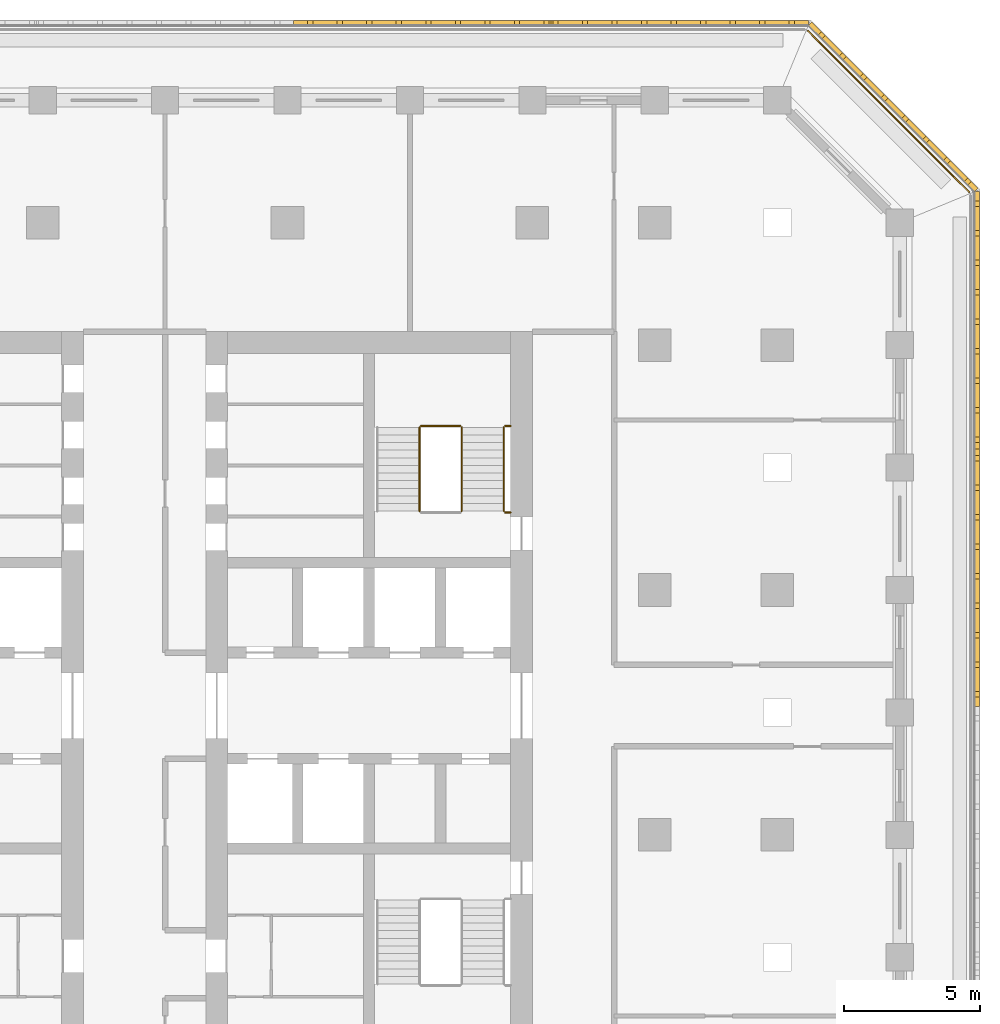
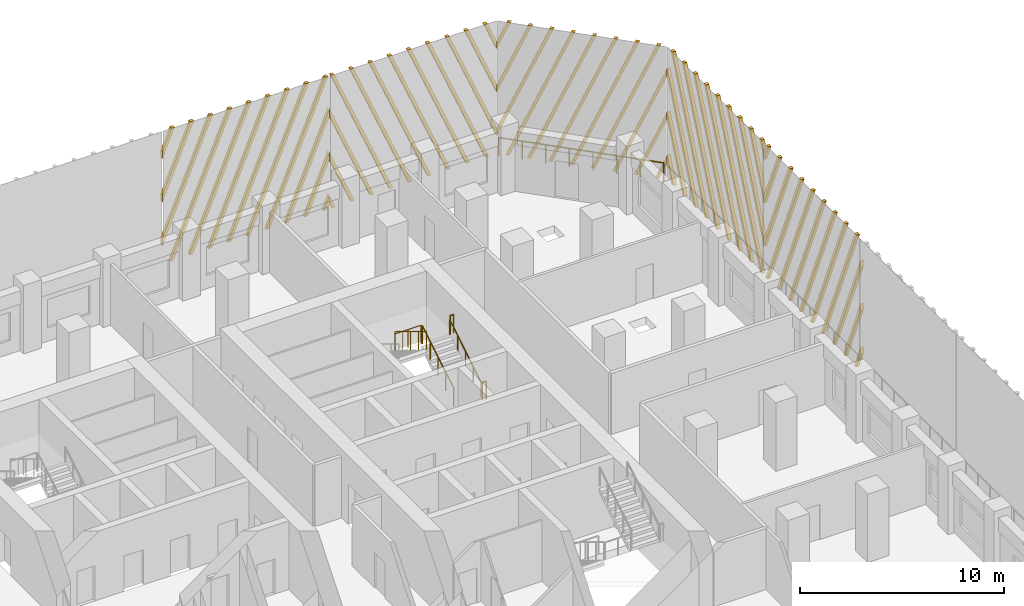
# One storey, part 15 of 16: 7 railings, 5 shading devices.
"""IFC4 building model written with IfcOpenShell, lengths in metres."""

import ifcopenshell
import ifcopenshell.guid

model = None  # the IFC model being written
_history = None  # IfcOwnerHistory: only IFC2X3 demands one
_inside = {}  # id of a spatial element -> (the spatial element, [elements in it])
_under = {}  # id of a project, library or spatial element -> (it, [spatial elements below it])
_declared = {}  # id of a project -> (the project, [libraries it declares])
_typed = {}  # id of a type object -> (the type object, [elements of that type])
_made_of = {}  # id of a material, layer set ... -> (it, [elements and type objects made of it])


def new_model(schema):
    """Start an empty IFC model of exactly this schema.

    Asked for "IFC4X3", IfcOpenShell would pick the latest addendum, in which some entities
    have other attributes; the version numbers below select the first issue.
    IFC2X3 requires an IfcOwnerHistory on every rooted entity: one is made here for all.
    """
    global model, _history
    if schema == "IFC4X3":
        model = ifcopenshell.file(schema_version=(4, 3, 0, 0))
    else:
        model = ifcopenshell.file(schema=schema)
    _inside.clear()
    _under.clear()
    _declared.clear()
    _typed.clear()
    _made_of.clear()
    _history = None
    if model.schema == "IFC2X3":
        org = make("IfcOrganization", Name="unknown")
        user = make(
            "IfcPersonAndOrganization",
            ThePerson=make("IfcPerson", FamilyName="unknown"),
            TheOrganization=org,
        )
        app = make(
            "IfcApplication",
            ApplicationDeveloper=org,
            Version="unknown",
            ApplicationFullName="unknown",
            ApplicationIdentifier="unknown",
        )
        _history = make(
            "IfcOwnerHistory",
            OwningUser=user,
            OwningApplication=app,
            ChangeAction="ADDED",
            CreationDate=0,
        )
    return model


def make(cls, **values):
    """One entity of the class cls with the attributes given. An attribute that is None is left unset."""
    return model.create_entity(
        cls, **{name: value for name, value in values.items() if value is not None}
    )


def rooted(cls, **values):
    """An entity with a GlobalId (a new one), such as an element, a storey or a relation."""
    return make(cls, GlobalId=ifcopenshell.guid.new(), OwnerHistory=_history, **values)


def si_unit(unit_type, name, prefix=None):
    """IfcSIUnit, for example si_unit("LENGTHUNIT", "METRE", prefix="MILLI")."""
    return make("IfcSIUnit", UnitType=unit_type, Prefix=prefix, Name=name)


def assignment(units):
    """IfcUnitAssignment: the units of a project."""
    return None if units is None else make("IfcUnitAssignment", Units=units)


def point(xyz):
    """IfcCartesianPoint."""
    return None if xyz is None else make("IfcCartesianPoint", Coordinates=xyz)


def direction(xyz):
    """IfcDirection."""
    return None if xyz is None else make("IfcDirection", DirectionRatios=xyz)


def frame(location, z_axis=None, x_axis=None):
    """IfcAxis2Placement3D, a coordinate frame: its origin and axes. An axis left out is left unset."""
    return make(
        "IfcAxis2Placement3D",
        Location=point(location),
        Axis=direction(z_axis),
        RefDirection=direction(x_axis),
    )


def frame_2d(location, x_axis=None):
    """IfcAxis2Placement2D, a coordinate frame in the plane: its origin and x axis."""
    return make(
        "IfcAxis2Placement2D", Location=point(location), RefDirection=direction(x_axis)
    )


def origin():
    """The frame at (0, 0, 0) with its axes left unset."""
    return frame((0.0, 0.0, 0.0))


def origin_2d():
    """The frame at (0, 0) in the plane with its x axis left unset."""
    return frame_2d((0.0, 0.0))


def place(relative_to, where):
    """IfcLocalPlacement: puts the frame where relative to a parent placement (None: the world)."""
    return make(
        "IfcLocalPlacement", PlacementRelTo=relative_to, RelativePlacement=where
    )


def context(
    kind, dimensions, precision=None, world=None, true_north=None, identifier=None
):
    """IfcGeometricRepresentationContext, for example the 3D "Model" context."""
    return make(
        "IfcGeometricRepresentationContext",
        ContextIdentifier=identifier,
        ContextType=kind,
        CoordinateSpaceDimension=dimensions,
        Precision=precision,
        WorldCoordinateSystem=world,
        TrueNorth=true_north,
    )


def subcontext(parent, identifier, kind, view, scale=None):
    """IfcGeometricRepresentationSubContext, for example "Body" below "Model"."""
    return make(
        "IfcGeometricRepresentationSubContext",
        ContextIdentifier=identifier,
        ContextType=kind,
        ParentContext=parent,
        TargetScale=scale,
        TargetView=view,
    )


def project(units=None, contexts=None):
    """IfcProject with its units and contexts."""
    return rooted(
        "IfcProject",
        Name="project",
        RepresentationContexts=contexts,
        UnitsInContext=assignment(units),
    )


def spatial(cls, under=None, at=None, **own):
    """A site, building, storey or space (cls), placed at a placement, below another one or the project."""
    s = rooted(cls, ObjectPlacement=at, **own)
    if under is not None:
        _under.setdefault(under.id(), (under, []))[1].append(s)
    return s


def polyline(points):
    """IfcPolyline through the points."""
    return make("IfcPolyline", Points=[point(p) for p in points])


def profile(cls, at=None, kind="AREA", **sizes):
    """A parametric profile (cls). Its sizes go by their IFC names, for example OverallWidth=200.0."""
    return make(cls, ProfileType=kind, Position=at, **sizes)


def circle(**sizes):
    """IfcCircleProfileDef."""
    return profile("IfcCircleProfileDef", **sizes)


def outline(outer, holes=None, kind="AREA"):
    """IfcArbitraryClosedProfileDef: a profile drawn as a closed curve; with holes, ...WithVoids."""
    if holes is None:
        return make("IfcArbitraryClosedProfileDef", ProfileType=kind, OuterCurve=outer)
    return make(
        "IfcArbitraryProfileDefWithVoids",
        ProfileType=kind,
        OuterCurve=outer,
        InnerCurves=holes,
    )


def extrude(swept, where, along, depth):
    """IfcExtrudedAreaSolid: the profile swept, set in the frame where, extruded along a direction by depth."""
    return make(
        "IfcExtrudedAreaSolid",
        SweptArea=swept,
        Position=where,
        ExtrudedDirection=direction(along),
        Depth=depth,
    )


def shape(context_of_items, identifier, shape_type, items):
    """IfcShapeRepresentation: the items that make up one representation, for example the "Body"."""
    return make(
        "IfcShapeRepresentation",
        ContextOfItems=context_of_items,
        RepresentationIdentifier=identifier,
        RepresentationType=shape_type,
        Items=items,
    )


def source(mapping_origin, context_of_items, identifier, shape_type, items):
    """IfcRepresentationMap: a shape defined once, which mapped items show again and again."""
    return make(
        "IfcRepresentationMap",
        MappingOrigin=mapping_origin,
        MappedRepresentation=shape(context_of_items, identifier, shape_type, items),
    )


def transform(
    local_origin,
    x_axis=None,
    y_axis=None,
    z_axis=None,
    scale=None,
    scale2=None,
    scale3=None,
    uniform=True,
):
    """IfcCartesianTransformationOperator3D, or its non-uniform kind. x_axis, y_axis, z_axis: its Axis1, 2, 3."""
    if uniform:
        return make(
            "IfcCartesianTransformationOperator3D",
            Axis1=direction(x_axis),
            Axis2=direction(y_axis),
            LocalOrigin=point(local_origin),
            Scale=scale,
            Axis3=direction(z_axis),
        )
    return make(
        "IfcCartesianTransformationOperator3DnonUniform",
        Axis1=direction(x_axis),
        Axis2=direction(y_axis),
        LocalOrigin=point(local_origin),
        Scale=scale,
        Axis3=direction(z_axis),
        Scale2=scale2,
        Scale3=scale3,
    )


def mapped(mapping_source, mapping_target):
    """IfcMappedItem: shows the shape of a source again, moved by a transform."""
    return make(
        "IfcMappedItem", MappingSource=mapping_source, MappingTarget=mapping_target
    )


def material(Name=None, Category=None):
    """IfcMaterial."""
    return make("IfcMaterial", Name=Name, Category=Category)


def made_of(thing, what):
    """Note that an element or type object is made of a material, layer set ...; save() writes the relation."""
    if what is not None:
        _made_of.setdefault(what.id(), (what, []))[1].append(thing)
    return thing


def type_object(cls, material=None, **own):
    """A type object (cls), such as IfcWallType, which elements share."""
    return made_of(rooted(cls, **own), material)


def element(
    cls,
    number,
    at=None,
    inside=None,
    cuts=None,
    type_object=None,
    material=None,
    context=None,
    identifier="Body",
    shape_type=None,
    held_by="IfcProductDefinitionShape",
    body=None,
    shapes=None,
    **own,
):
    """One element of the class cls, such as IfcWall. Its Tag is "e" and its number.

    at: its placement. inside: the storey or other place that contains it. cuts: it is an
    opening in that element (IfcRelVoidsElement). A single representation is given by context,
    identifier, shape_type and body (its items); several are given by shapes. held_by: the class
    of the entity that holds the representations. save() writes the other relations.
    """
    e = rooted(cls, Tag="e%d" % number, ObjectPlacement=at, **own)
    if body is not None:
        shapes = [shape(context, identifier, shape_type, body)]
    if shapes is not None:
        e.Representation = make(held_by, Representations=shapes)
    if inside is not None:
        _inside.setdefault(inside.id(), (inside, []))[1].append(e)
    if cuts is not None:
        rooted(
            "IfcRelVoidsElement", RelatingBuildingElement=cuts, RelatedOpeningElement=e
        )
    if type_object is not None:
        _typed.setdefault(type_object.id(), (type_object, []))[1].append(e)
    return made_of(e, material)


def aggregate(whole, parts):
    """IfcRelAggregates: a whole, such as a stair, and the parts it consists of."""
    return rooted("IfcRelAggregates", RelatingObject=whole, RelatedObjects=parts)


def save(model, path):
    """Write the relations noted so far, then the file.

    IfcRelAggregates (storeys below a building ...), IfcRelContainedInSpatialStructure (elements
    in a storey), IfcRelDefinesByType, IfcRelAssociatesMaterial and IfcRelDeclares: one each for
    every whole, place, type object, material and project.
    """
    for whole, parts in _under.values():
        aggregate(whole, parts)
    for where, things in _inside.values():
        rooted(
            "IfcRelContainedInSpatialStructure",
            RelatedElements=things,
            RelatingStructure=where,
        )
    for kind, things in _typed.values():
        rooted("IfcRelDefinesByType", RelatedObjects=things, RelatingType=kind)
    for what, things in _made_of.values():
        rooted("IfcRelAssociatesMaterial", RelatedObjects=things, RelatingMaterial=what)
    for by, libraries in _declared.values():
        rooted("IfcRelDeclares", RelatingContext=by, RelatedDefinitions=libraries)
    model.write(path)


model = new_model("IFC4")

# Units and contexts
model_context = context("Model", 3, precision=1e-05, world=origin(), true_north=direction((0.0, 1.0)))
body_context = subcontext(model_context, "Body", "Model", "MODEL_VIEW")
ifc_project = project(units=[si_unit("LENGTHUNIT", "METRE"), si_unit("AREAUNIT", "SQUARE_METRE"), si_unit("VOLUMEUNIT", "CUBIC_METRE"), si_unit("PLANEANGLEUNIT", "RADIAN"), si_unit("MASSUNIT", "GRAM", prefix="KILO")], contexts=[model_context])

# Site, building, storey
site_placement = place(None, origin())
site = spatial("IfcSite", under=ifc_project, at=site_placement, CompositionType="ELEMENT")
building_placement = place(site_placement, origin())
building = spatial("IfcBuilding", under=site, at=building_placement, Name="Corbel Stack Research Tower", CompositionType="ELEMENT")
storey_placement = place(building_placement, frame((0.0, 0.0, 191.5)))
storey = spatial("IfcBuildingStorey", under=building, at=storey_placement, Name="L43", CompositionType="ELEMENT", Elevation=191.5)

# Railings
ifc_material_1 = material(Name="Steel S355", Category="steel")
railing_type_1 = type_object("IfcRailingType", Name="Stair guard 1100", PredefinedType="GUARDRAIL", material=ifc_material_1)
railing_1_placement = place(storey_placement, frame((15.39990234375, 11.89990234375, 0.1708984375)))
element("IfcRailing", 1, at=railing_1_placement, inside=storey, type_object=railing_type_1, Name="L43 ST-E2 stair guard 1", PredefinedType="GUARDRAIL", context=body_context, shape_type="SweptSolid", body=[
    extrude(circle(Radius=0.02392578125, at=origin_2d()), frame((0.0, 0.0, 1.076171875), z_axis=(0.0, 0.853666305674, 0.52082035152), x_axis=(-1.0, 0.0, 0.0)), (0.0, 0.0, 1.0), 3.608154296875),
    extrude(circle(Radius=0.02099609375, at=origin_2d()), origin(), (0.0, 0.0, 1.0), 1.052001953125),
    extrude(circle(Radius=0.02099609375, at=origin_2d()), frame((0.0, 0.77001953125, 0.4697265625)), (0.0, 0.0, 1.0), 1.052001953125),
    extrude(circle(Radius=0.02099609375, at=origin_2d()), frame((0.0, 1.5400390625, 0.939453125)), (0.0, 0.0, 1.0), 1.052001953125),
    extrude(circle(Radius=0.02099609375, at=origin_2d()), frame((0.0, 2.31005859375, 1.409423828125)), (0.0, 0.0, 1.0), 1.052001953125),
    extrude(circle(Radius=0.02099609375, at=origin_2d()), frame((0.0, 3.080078125, 1.879150390625)), (0.0, 0.0, 1.0), 1.052001953125),
])
railing_2_placement = place(storey_placement, frame((15.35009765625, 15.030029296875, 2.050048828125)))
element("IfcRailing", 2, at=railing_2_placement, inside=storey, type_object=railing_type_1, Name="L43 ST-E2 stair guard 2", PredefinedType="GUARDRAIL", context=body_context, shape_type="SweptSolid", body=[
    extrude(circle(Radius=0.02392578125, at=origin_2d()), frame((0.0, 0.0, 1.076171875), z_axis=(-1.0, 0.0, 0.0), x_axis=(0.0, -1.0, 0.0)), (0.0, 0.0, 1.0), 1.4501953125),
    extrude(circle(Radius=0.02099609375, at=origin_2d()), origin(), (0.0, 0.0, 1.0), 1.052001953125),
    extrude(circle(Radius=0.02099609375, at=origin_2d()), frame((-0.72509765625, 0.0, 0.0)), (0.0, 0.0, 1.0), 1.052001953125),
    extrude(circle(Radius=0.02099609375, at=origin_2d()), frame((-1.4501953125, 0.0, 0.0)), (0.0, 0.0, 1.0), 1.052001953125),
])
railing_3_placement = place(storey_placement, frame((17.199951171875, 15.030029296875, 2.050048828125)))
element("IfcRailing", 3, at=railing_3_placement, inside=storey, type_object=railing_type_1, Name="L43 ST-E2 stair guard 3", PredefinedType="GUARDRAIL", context=body_context, shape_type="SweptSolid", body=[
    extrude(circle(Radius=0.02392578125, at=origin_2d()), frame((0.0, 0.0, 1.076171875), z_axis=(-1.0, 0.0, 0.0), x_axis=(0.0, -1.0, 0.0)), (0.0, 0.0, 1.0), 0.199951171875),
    extrude(circle(Radius=0.02099609375, at=origin_2d()), origin(), (0.0, 0.0, 1.0), 1.052001953125),
    extrude(circle(Radius=0.02099609375, at=origin_2d()), frame((-0.199951171875, 0.0, 0.0)), (0.0, 0.0, 1.0), 1.052001953125),
])
railing_4_placement = place(storey_placement, frame((13.85009765625, 14.97998046875, 2.220947265625)))
element("IfcRailing", 4, at=railing_4_placement, inside=storey, type_object=railing_type_1, Name="L43 ST-E2 stair guard 4", PredefinedType="GUARDRAIL", context=body_context, shape_type="SweptSolid", body=[
    extrude(circle(Radius=0.02392578125, at=origin_2d()), frame((0.0, 0.0, 1.076171875), z_axis=(0.0, -0.853666305674, 0.52082035152), x_axis=(1.0, 0.0, 0.0)), (0.0, 0.0, 1.0), 3.608154296875),
    extrude(circle(Radius=0.02099609375, at=origin_2d()), origin(), (0.0, 0.0, 1.0), 1.052001953125),
    extrude(circle(Radius=0.02099609375, at=origin_2d()), frame((0.0, -0.77001953125, 0.4697265625)), (0.0, 0.0, 1.0), 1.052001953125),
    extrude(circle(Radius=0.02099609375, at=origin_2d()), frame((0.0, -1.5400390625, 0.939453125)), (0.0, 0.0, 1.0), 1.052001953125),
    extrude(circle(Radius=0.02099609375, at=origin_2d()), frame((0.0, -2.31005859375, 1.409423828125)), (0.0, 0.0, 1.0), 1.052001953125),
    extrude(circle(Radius=0.02099609375, at=origin_2d()), frame((0.0, -3.080078125, 1.879150390625)), (0.0, 0.0, 1.0), 1.052001953125),
])
railing_5_placement = place(storey_placement, frame((17.199951171875, 11.85009765625, 0.0)))
element("IfcRailing", 5, at=railing_5_placement, inside=storey, type_object=railing_type_1, Name="L43 ST-E2 stair guard 6", PredefinedType="GUARDRAIL", context=body_context, shape_type="SweptSolid", body=[
    extrude(circle(Radius=0.02392578125, at=origin_2d()), frame((0.0, 0.0, 1.076171875), z_axis=(-1.0, 0.0, 0.0), x_axis=(0.0, -1.0, 0.0)), (0.0, 0.0, 1.0), 0.199951171875),
    extrude(circle(Radius=0.02099609375, at=origin_2d()), origin(), (0.0, 0.0, 1.0), 1.052001953125),
    extrude(circle(Radius=0.02099609375, at=origin_2d()), frame((-0.199951171875, 0.0, 0.0)), (0.0, 0.0, 1.0), 1.052001953125),
])
ifc_material_2 = material(Name="Steel S355", Category="steel")
railing_type_2 = type_object("IfcRailingType", Name="Stair handrail 900", PredefinedType="HANDRAIL", material=ifc_material_2)
railing_6_placement = place(storey_placement, frame((16.949951171875, 11.89990234375, 0.1708984375)))
element("IfcRailing", 6, at=railing_6_placement, inside=storey, type_object=railing_type_2, Name="L43 ST-E2 stair handrail 1", PredefinedType="HANDRAIL", context=body_context, shape_type="SweptSolid", body=[
    extrude(circle(Radius=0.02392578125, at=origin_2d()), frame((0.0, 0.0, 0.8759765625), z_axis=(0.0, 0.853666305674, 0.52082035152), x_axis=(-1.0, 0.0, 0.0)), (0.0, 0.0, 1.0), 3.608154296875),
    extrude(circle(Radius=0.02099609375, at=origin_2d()), origin(), (0.0, 0.0, 1.0), 0.851806640625),
    extrude(circle(Radius=0.02099609375, at=origin_2d()), frame((0.0, 0.77001953125, 0.4697265625)), (0.0, 0.0, 1.0), 0.851806640625),
    extrude(circle(Radius=0.02099609375, at=origin_2d()), frame((0.0, 1.5400390625, 0.939453125)), (0.0, 0.0, 1.0), 0.851806640625),
    extrude(circle(Radius=0.02099609375, at=origin_2d()), frame((0.0, 2.31005859375, 1.409423828125)), (0.0, 0.0, 1.0), 0.851806640625),
    extrude(circle(Radius=0.02099609375, at=origin_2d()), frame((0.0, 3.080078125, 1.879150390625)), (0.0, 0.0, 1.0), 0.851806640625),
])
ifc_material_3 = material(Name="Powder-coated steel guard", Category="steel")
railing_type_3 = type_object("IfcRailingType", Name="Steel and glass guard 1100", PredefinedType="GUARDRAIL", material=ifc_material_3)
railing_7_placement = place(storey_placement, frame((34.04931640625, 23.627685546875, 0.0)))
element("IfcRailing", 7, at=railing_7_placement, inside=storey, type_object=railing_type_3, Name="Loggia guard L43 NE", PredefinedType="GUARDRAIL", context=body_context, shape_type="SweptSolid", body=[
    extrude(circle(Radius=0.02392578125, at=origin_2d()), frame((0.0, 0.0, 1.076171875), z_axis=(-0.707106781187, 0.707106781187, 0.0), x_axis=(-0.707106781187, -0.707106781187, 0.0)), (0.0, 0.0, 1.0), 8.37451171875),
    extrude(circle(Radius=0.02099609375, at=origin_2d()), origin(), (0.0, 0.0, 1.0), 1.052001953125),
    extrude(circle(Radius=0.02099609375, at=origin_2d()), frame((-0.845947265625, 0.845947265625, 0.0)), (0.0, 0.0, 1.0), 1.052001953125),
    extrude(circle(Radius=0.02099609375, at=origin_2d()), frame((-1.69189453125, 1.69189453125, 0.0)), (0.0, 0.0, 1.0), 1.052001953125),
    extrude(circle(Radius=0.02099609375, at=origin_2d()), frame((-2.537841796875, 2.537841796875, 0.0)), (0.0, 0.0, 1.0), 1.052001953125),
    extrude(circle(Radius=0.02099609375, at=origin_2d()), frame((-3.3837890625, 3.3837890625, 0.0)), (0.0, 0.0, 1.0), 1.052001953125),
    extrude(circle(Radius=0.02099609375, at=origin_2d()), frame((-4.229736328125, 4.229736328125, 0.0)), (0.0, 0.0, 1.0), 1.052001953125),
    extrude(circle(Radius=0.02099609375, at=origin_2d()), frame((-5.07568359375, 5.07568359375, 0.0)), (0.0, 0.0, 1.0), 1.052001953125),
    extrude(circle(Radius=0.02099609375, at=origin_2d()), frame((-5.921630859375, 5.921630859375, 0.0)), (0.0, 0.0, 1.0), 1.052001953125),
])

# Shading devices
ifc_material_4 = material(Name="Precast terracotta", Category="masonry")
shading_device_type = type_object("IfcShadingDeviceType", Name="Terracotta screen panel", PredefinedType="USERDEFINED", material=ifc_material_4)
shared_shape_1 = source(origin(), body_context, "Body", "SweptSolid", [
    extrude(outline(polyline([(0.432373046875, 7.949951171875), (0.2421875, 7.949951171875), (0.0, 7.36962890625), (0.0, 6.914794921875), (0.432373046875, 7.949951171875)])), frame((0.0, 0.0, 0.0), z_axis=(0.0, -1.0, 0.0), x_axis=(1.0, 0.0, 0.0)), (0.0, 0.0, 1.0), 0.179931640625),
    extrude(outline(polyline([(1.51708984375, 7.949951171875), (1.326904296875, 7.949951171875), (0.0, 4.7724609375), (0.0, 4.317626953125), (1.51708984375, 7.949951171875)])), frame((0.0, 0.0, 0.0), z_axis=(0.0, -1.0, 0.0), x_axis=(1.0, 0.0, 0.0)), (0.0, 0.0, 1.0), 0.179931640625),
    extrude(outline(polyline([(2.601806640625, 7.949951171875), (2.41162109375, 7.949951171875), (0.0, 2.17529296875), (0.0, 1.720458984375), (2.601806640625, 7.949951171875)])), frame((0.0, 0.0, 0.0), z_axis=(0.0, -1.0, 0.0), x_axis=(1.0, 0.0, 0.0)), (0.0, 0.0, 1.0), 0.179931640625),
    extrude(outline(polyline([(0.3662109375, 0.0), (3.686279296875, 7.949951171875), (3.496337890625, 7.949951171875), (0.17626953125, 0.0), (0.3662109375, 0.0)])), frame((0.0, 0.0, 0.0), z_axis=(0.0, -1.0, 0.0), x_axis=(1.0, 0.0, 0.0)), (0.0, 0.0, 1.0), 0.179931640625),
    extrude(outline(polyline([(1.45068359375, 0.0), (4.77099609375, 7.949951171875), (4.5810546875, 7.949951171875), (1.2607421875, 0.0), (1.45068359375, 0.0)])), frame((0.0, 0.0, 0.0), z_axis=(0.0, -1.0, 0.0), x_axis=(1.0, 0.0, 0.0)), (0.0, 0.0, 1.0), 0.179931640625),
    extrude(outline(polyline([(2.535400390625, 0.0), (5.855712890625, 7.949951171875), (5.665771484375, 7.949951171875), (2.345458984375, 0.0), (2.535400390625, 0.0)])), frame((0.0, 0.0, 0.0), z_axis=(0.0, -1.0, 0.0), x_axis=(1.0, 0.0, 0.0)), (0.0, 0.0, 1.0), 0.179931640625),
    extrude(outline(polyline([(3.6201171875, 0.0), (6.940185546875, 7.949951171875), (6.750244140625, 7.949951171875), (3.43017578125, 0.0), (3.6201171875, 0.0)])), frame((0.0, 0.0, 0.0), z_axis=(0.0, -1.0, 0.0), x_axis=(1.0, 0.0, 0.0)), (0.0, 0.0, 1.0), 0.179931640625),
    extrude(outline(polyline([(4.704833984375, 0.0), (8.02490234375, 7.949951171875), (7.8349609375, 7.949951171875), (4.514892578125, 0.0), (4.704833984375, 0.0)])), frame((0.0, 0.0, 0.0), z_axis=(0.0, -1.0, 0.0), x_axis=(1.0, 0.0, 0.0)), (0.0, 0.0, 1.0), 0.179931640625),
    extrude(outline(polyline([(5.78955078125, 0.0), (9.109619140625, 7.949951171875), (8.919677734375, 7.949951171875), (5.599609375, 0.0), (5.78955078125, 0.0)])), frame((0.0, 0.0, 0.0), z_axis=(0.0, -1.0, 0.0), x_axis=(1.0, 0.0, 0.0)), (0.0, 0.0, 1.0), 0.179931640625),
    extrude(outline(polyline([(6.874267578125, 0.0), (9.45556640625, 6.18115234375), (9.45556640625, 6.63623046875), (6.68408203125, 0.0), (6.874267578125, 0.0)])), frame((0.0, 0.0, 0.0), z_axis=(0.0, -1.0, 0.0), x_axis=(1.0, 0.0, 0.0)), (0.0, 0.0, 1.0), 0.179931640625),
    extrude(outline(polyline([(7.958740234375, 0.0), (9.45556640625, 3.583984375), (9.45556640625, 4.0390625), (7.768798828125, 0.0), (7.958740234375, 0.0)])), frame((0.0, 0.0, 0.0), z_axis=(0.0, -1.0, 0.0), x_axis=(1.0, 0.0, 0.0)), (0.0, 0.0, 1.0), 0.179931640625),
    extrude(outline(polyline([(9.04345703125, 0.0), (9.45556640625, 0.98681640625), (9.45556640625, 1.44189453125), (8.853515625, 0.0), (9.04345703125, 0.0)])), frame((0.0, 0.0, 0.0), z_axis=(0.0, -1.0, 0.0), x_axis=(1.0, 0.0, 0.0)), (0.0, 0.0, 1.0), 0.179931640625),
])
shading_device_1_placement = place(storey_placement, frame((34.25, 14.18359375, 0.0), z_axis=(0.0, 0.0, 1.0), x_axis=(0.0, 1.0, 0.0)))
element("IfcShadingDevice", 8, at=shading_device_1_placement, inside=storey, type_object=shading_device_type, Name="Terracotta screen L43 E5", ObjectType="SCREEN", PredefinedType="USERDEFINED", context=body_context, shape_type="MappedRepresentation", body=[
    mapped(shared_shape_1, transform((0.0, 0.0, 0.0))),
])
shared_shape_2 = source(origin(), body_context, "Body", "SweptSolid", [
    extrude(outline(polyline([(0.60205078125, 0.0), (0.0, 1.44189453125), (0.0, 0.98681640625), (0.412109375, 0.0), (0.60205078125, 0.0)])), frame((0.0, 0.0, 0.0), z_axis=(0.0, -1.0, 0.0), x_axis=(1.0, 0.0, 0.0)), (0.0, 0.0, 1.0), 0.179931640625),
    extrude(outline(polyline([(1.686767578125, 0.0), (0.0, 4.0390625), (0.0, 3.583984375), (1.496826171875, 0.0), (1.686767578125, 0.0)])), frame((0.0, 0.0, 0.0), z_axis=(0.0, -1.0, 0.0), x_axis=(1.0, 0.0, 0.0)), (0.0, 0.0, 1.0), 0.179931640625),
    extrude(outline(polyline([(2.771484375, 0.0), (0.0, 6.63623046875), (0.0, 6.18115234375), (2.58154296875, 0.0), (2.771484375, 0.0)])), frame((0.0, 0.0, 0.0), z_axis=(0.0, -1.0, 0.0), x_axis=(1.0, 0.0, 0.0)), (0.0, 0.0, 1.0), 0.179931640625),
    extrude(outline(polyline([(3.856201171875, 0.0), (0.535888671875, 7.949951171875), (0.345947265625, 7.949951171875), (3.666015625, 0.0), (3.856201171875, 0.0)])), frame((0.0, 0.0, 0.0), z_axis=(0.0, -1.0, 0.0), x_axis=(1.0, 0.0, 0.0)), (0.0, 0.0, 1.0), 0.179931640625),
    extrude(outline(polyline([(4.94091796875, 0.0), (1.62060546875, 7.949951171875), (1.4306640625, 7.949951171875), (4.750732421875, 0.0), (4.94091796875, 0.0)])), frame((0.0, 0.0, 0.0), z_axis=(0.0, -1.0, 0.0), x_axis=(1.0, 0.0, 0.0)), (0.0, 0.0, 1.0), 0.179931640625),
    extrude(outline(polyline([(6.025390625, 0.0), (2.705322265625, 7.949951171875), (2.515380859375, 7.949951171875), (5.83544921875, 0.0), (6.025390625, 0.0)])), frame((0.0, 0.0, 0.0), z_axis=(0.0, -1.0, 0.0), x_axis=(1.0, 0.0, 0.0)), (0.0, 0.0, 1.0), 0.179931640625),
    extrude(outline(polyline([(7.110107421875, 0.0), (3.7900390625, 7.949951171875), (3.60009765625, 7.949951171875), (6.920166015625, 0.0), (7.110107421875, 0.0)])), frame((0.0, 0.0, 0.0), z_axis=(0.0, -1.0, 0.0), x_axis=(1.0, 0.0, 0.0)), (0.0, 0.0, 1.0), 0.179931640625),
    extrude(outline(polyline([(8.19482421875, 0.0), (4.87451171875, 7.949951171875), (4.6845703125, 7.949951171875), (8.0048828125, 0.0), (8.19482421875, 0.0)])), frame((0.0, 0.0, 0.0), z_axis=(0.0, -1.0, 0.0), x_axis=(1.0, 0.0, 0.0)), (0.0, 0.0, 1.0), 0.179931640625),
    extrude(outline(polyline([(9.279541015625, 0.0), (5.959228515625, 7.949951171875), (5.769287109375, 7.949951171875), (9.089599609375, 0.0), (9.279541015625, 0.0)])), frame((0.0, 0.0, 0.0), z_axis=(0.0, -1.0, 0.0), x_axis=(1.0, 0.0, 0.0)), (0.0, 0.0, 1.0), 0.179931640625),
    extrude(outline(polyline([(7.0439453125, 7.949951171875), (6.85400390625, 7.949951171875), (9.45556640625, 1.720458984375), (9.45556640625, 2.17529296875), (7.0439453125, 7.949951171875)])), frame((0.0, 0.0, 0.0), z_axis=(0.0, -1.0, 0.0), x_axis=(1.0, 0.0, 0.0)), (0.0, 0.0, 1.0), 0.179931640625),
    extrude(outline(polyline([(8.128662109375, 7.949951171875), (7.938720703125, 7.949951171875), (9.45556640625, 4.317626953125), (9.45556640625, 4.7724609375), (8.128662109375, 7.949951171875)])), frame((0.0, 0.0, 0.0), z_axis=(0.0, -1.0, 0.0), x_axis=(1.0, 0.0, 0.0)), (0.0, 0.0, 1.0), 0.179931640625),
    extrude(outline(polyline([(9.21337890625, 7.949951171875), (9.023193359375, 7.949951171875), (9.45556640625, 6.914794921875), (9.45556640625, 7.36962890625), (9.21337890625, 7.949951171875)])), frame((0.0, 0.0, 0.0), z_axis=(0.0, -1.0, 0.0), x_axis=(1.0, 0.0, 0.0)), (0.0, 0.0, 1.0), 0.179931640625),
])
shading_device_2_placement = place(storey_placement, frame((34.25, 4.727783203125, 0.0), z_axis=(0.0, 0.0, 1.0), x_axis=(0.0, 1.0, 0.0)))
element("IfcShadingDevice", 9, at=shading_device_2_placement, inside=storey, type_object=shading_device_type, Name="Terracotta screen L43 E4", ObjectType="SCREEN", PredefinedType="USERDEFINED", context=body_context, shape_type="MappedRepresentation", body=[
    mapped(shared_shape_2, transform((0.0, 0.0, 0.0))),
])
shared_shape_3 = source(origin(), body_context, "Body", "SweptSolid", [
    extrude(outline(polyline([(0.60205078125, 0.0), (0.0, 1.44189453125), (0.0, 0.98681640625), (0.412109375, 0.0), (0.60205078125, 0.0)])), frame((0.0, 0.0, 0.0), z_axis=(0.0, -1.0, 0.0), x_axis=(1.0, 0.0, 0.0)), (0.0, 0.0, 1.0), 0.179931640625),
    extrude(outline(polyline([(1.686767578125, 0.0), (0.0, 4.0390625), (0.0, 3.583984375), (1.496826171875, 0.0), (1.686767578125, 0.0)])), frame((0.0, 0.0, 0.0), z_axis=(0.0, -1.0, 0.0), x_axis=(1.0, 0.0, 0.0)), (0.0, 0.0, 1.0), 0.179931640625),
    extrude(outline(polyline([(2.771484375, 0.0), (0.0, 6.63623046875), (0.0, 6.18115234375), (2.58154296875, 0.0), (2.771484375, 0.0)])), frame((0.0, 0.0, 0.0), z_axis=(0.0, -1.0, 0.0), x_axis=(1.0, 0.0, 0.0)), (0.0, 0.0, 1.0), 0.179931640625),
    extrude(outline(polyline([(3.856201171875, 0.0), (0.535888671875, 7.949951171875), (0.345947265625, 7.949951171875), (3.666015625, 0.0), (3.856201171875, 0.0)])), frame((0.0, 0.0, 0.0), z_axis=(0.0, -1.0, 0.0), x_axis=(1.0, 0.0, 0.0)), (0.0, 0.0, 1.0), 0.179931640625),
    extrude(outline(polyline([(4.94091796875, 0.0), (1.62060546875, 7.949951171875), (1.4306640625, 7.949951171875), (4.750732421875, 0.0), (4.94091796875, 0.0)])), frame((0.0, 0.0, 0.0), z_axis=(0.0, -1.0, 0.0), x_axis=(1.0, 0.0, 0.0)), (0.0, 0.0, 1.0), 0.179931640625),
    extrude(outline(polyline([(6.025390625, 0.0), (2.705322265625, 7.949951171875), (2.515380859375, 7.949951171875), (5.83544921875, 0.0), (6.025390625, 0.0)])), frame((0.0, 0.0, 0.0), z_axis=(0.0, -1.0, 0.0), x_axis=(1.0, 0.0, 0.0)), (0.0, 0.0, 1.0), 0.179931640625),
    extrude(outline(polyline([(7.110107421875, 0.0), (3.7900390625, 7.949951171875), (3.60009765625, 7.949951171875), (6.920166015625, 0.0), (7.110107421875, 0.0)])), frame((0.0, 0.0, 0.0), z_axis=(0.0, -1.0, 0.0), x_axis=(1.0, 0.0, 0.0)), (0.0, 0.0, 1.0), 0.179931640625),
    extrude(outline(polyline([(8.19482421875, 0.0), (4.87451171875, 7.949951171875), (4.6845703125, 7.949951171875), (8.0048828125, 0.0), (8.19482421875, 0.0)])), frame((0.0, 0.0, 0.0), z_axis=(0.0, -1.0, 0.0), x_axis=(1.0, 0.0, 0.0)), (0.0, 0.0, 1.0), 0.179931640625),
    extrude(outline(polyline([(5.959228515625, 7.949951171875), (5.769287109375, 7.949951171875), (8.64208984375, 1.071044921875), (8.64208984375, 1.526123046875), (5.959228515625, 7.949951171875)])), frame((0.0, 0.0, 0.0), z_axis=(0.0, -1.0, 0.0), x_axis=(1.0, 0.0, 0.0)), (0.0, 0.0, 1.0), 0.179931640625),
    extrude(outline(polyline([(7.0439453125, 7.949951171875), (6.85400390625, 7.949951171875), (8.64208984375, 3.668212890625), (8.64208984375, 4.123291015625), (7.0439453125, 7.949951171875)])), frame((0.0, 0.0, 0.0), z_axis=(0.0, -1.0, 0.0), x_axis=(1.0, 0.0, 0.0)), (0.0, 0.0, 1.0), 0.179931640625),
    extrude(outline(polyline([(8.128662109375, 7.949951171875), (7.938720703125, 7.949951171875), (8.64208984375, 6.265380859375), (8.64208984375, 6.720458984375), (8.128662109375, 7.949951171875)])), frame((0.0, 0.0, 0.0), z_axis=(0.0, -1.0, 0.0), x_axis=(1.0, 0.0, 0.0)), (0.0, 0.0, 1.0), 0.179931640625),
])
shading_device_3_placement = place(storey_placement, frame((34.25, 23.63916015625, 0.0), z_axis=(0.0, 0.0, 1.0), x_axis=(-0.707106781187, 0.707106781187, 0.0)))
element("IfcShadingDevice", 10, at=shading_device_3_placement, inside=storey, type_object=shading_device_type, Name="Terracotta screen L43 NE1", ObjectType="SCREEN", PredefinedType="USERDEFINED", context=body_context, shape_type="MappedRepresentation", body=[
    mapped(shared_shape_3, transform((0.0, 0.0, 0.0))),
])
shared_shape_4 = source(origin(), body_context, "Body", "SweptSolid", [
    extrude(outline(polyline([(0.70361328125, 7.949951171875), (0.513427734375, 7.949951171875), (0.0, 6.720458984375), (0.0, 6.265380859375), (0.70361328125, 7.949951171875)])), frame((0.0, 0.0, 0.0), z_axis=(0.0, -1.0, 0.0), x_axis=(1.0, 0.0, 0.0)), (0.0, 0.0, 1.0), 0.179931640625),
    extrude(outline(polyline([(1.7880859375, 7.949951171875), (1.59814453125, 7.949951171875), (0.0, 4.123291015625), (0.0, 3.668212890625), (1.7880859375, 7.949951171875)])), frame((0.0, 0.0, 0.0), z_axis=(0.0, -1.0, 0.0), x_axis=(1.0, 0.0, 0.0)), (0.0, 0.0, 1.0), 0.179931640625),
    extrude(outline(polyline([(2.872802734375, 7.949951171875), (2.682861328125, 7.949951171875), (0.0, 1.526123046875), (0.0, 1.071044921875), (2.872802734375, 7.949951171875)])), frame((0.0, 0.0, 0.0), z_axis=(0.0, -1.0, 0.0), x_axis=(1.0, 0.0, 0.0)), (0.0, 0.0, 1.0), 0.179931640625),
    extrude(outline(polyline([(0.63720703125, 0.0), (3.95751953125, 7.949951171875), (3.767578125, 7.949951171875), (0.447265625, 0.0), (0.63720703125, 0.0)])), frame((0.0, 0.0, 0.0), z_axis=(0.0, -1.0, 0.0), x_axis=(1.0, 0.0, 0.0)), (0.0, 0.0, 1.0), 0.179931640625),
    extrude(outline(polyline([(1.721923828125, 0.0), (5.042236328125, 7.949951171875), (4.852294921875, 7.949951171875), (1.531982421875, 0.0), (1.721923828125, 0.0)])), frame((0.0, 0.0, 0.0), z_axis=(0.0, -1.0, 0.0), x_axis=(1.0, 0.0, 0.0)), (0.0, 0.0, 1.0), 0.179931640625),
    extrude(outline(polyline([(2.806640625, 0.0), (6.126708984375, 7.949951171875), (5.936767578125, 7.949951171875), (2.61669921875, 0.0), (2.806640625, 0.0)])), frame((0.0, 0.0, 0.0), z_axis=(0.0, -1.0, 0.0), x_axis=(1.0, 0.0, 0.0)), (0.0, 0.0, 1.0), 0.179931640625),
    extrude(outline(polyline([(3.891357421875, 0.0), (7.21142578125, 7.949951171875), (7.021484375, 7.949951171875), (3.701416015625, 0.0), (3.891357421875, 0.0)])), frame((0.0, 0.0, 0.0), z_axis=(0.0, -1.0, 0.0), x_axis=(1.0, 0.0, 0.0)), (0.0, 0.0, 1.0), 0.179931640625),
    extrude(outline(polyline([(4.97607421875, 0.0), (8.296142578125, 7.949951171875), (8.106201171875, 7.949951171875), (4.785888671875, 0.0), (4.97607421875, 0.0)])), frame((0.0, 0.0, 0.0), z_axis=(0.0, -1.0, 0.0), x_axis=(1.0, 0.0, 0.0)), (0.0, 0.0, 1.0), 0.179931640625),
    extrude(outline(polyline([(6.060791015625, 0.0), (9.380859375, 7.949951171875), (9.19091796875, 7.949951171875), (5.87060546875, 0.0), (6.060791015625, 0.0)])), frame((0.0, 0.0, 0.0), z_axis=(0.0, -1.0, 0.0), x_axis=(1.0, 0.0, 0.0)), (0.0, 0.0, 1.0), 0.179931640625),
    extrude(outline(polyline([(7.145263671875, 0.0), (9.45556640625, 5.531982421875), (9.45556640625, 5.98681640625), (6.955322265625, 0.0), (7.145263671875, 0.0)])), frame((0.0, 0.0, 0.0), z_axis=(0.0, -1.0, 0.0), x_axis=(1.0, 0.0, 0.0)), (0.0, 0.0, 1.0), 0.179931640625),
    extrude(outline(polyline([(8.22998046875, 0.0), (9.45556640625, 2.934814453125), (9.45556640625, 3.3896484375), (8.0400390625, 0.0), (8.22998046875, 0.0)])), frame((0.0, 0.0, 0.0), z_axis=(0.0, -1.0, 0.0), x_axis=(1.0, 0.0, 0.0)), (0.0, 0.0, 1.0), 0.179931640625),
    extrude(outline(polyline([(9.314697265625, 0.0), (9.45556640625, 0.337646484375), (9.45556640625, 0.79248046875), (9.124755859375, 0.0), (9.314697265625, 0.0)])), frame((0.0, 0.0, 0.0), z_axis=(0.0, -1.0, 0.0), x_axis=(1.0, 0.0, 0.0)), (0.0, 0.0, 1.0), 0.179931640625),
])
shading_device_4_placement = place(storey_placement, frame((28.13916015625, 29.75, 0.0), z_axis=(0.0, 0.0, 1.0), x_axis=(-1.0, 0.0, 0.0)))
element("IfcShadingDevice", 11, at=shading_device_4_placement, inside=storey, type_object=shading_device_type, Name="Terracotta screen L43 N1", ObjectType="SCREEN", PredefinedType="USERDEFINED", context=body_context, shape_type="MappedRepresentation", body=[
    mapped(shared_shape_4, transform((0.0, 0.0, 0.0))),
])
shared_shape_5 = source(origin(), body_context, "Body", "SweptSolid", [
    extrude(outline(polyline([(0.3310546875, 0.0), (0.0, 0.79248046875), (0.0, 0.337646484375), (0.14111328125, 0.0), (0.3310546875, 0.0)])), frame((0.0, 0.0, 0.0), z_axis=(0.0, -1.0, 0.0), x_axis=(1.0, 0.0, 0.0)), (0.0, 0.0, 1.0), 0.179931640625),
    extrude(outline(polyline([(1.41552734375, 0.0), (0.0, 3.3896484375), (0.0, 2.934814453125), (1.2255859375, 0.0), (1.41552734375, 0.0)])), frame((0.0, 0.0, 0.0), z_axis=(0.0, -1.0, 0.0), x_axis=(1.0, 0.0, 0.0)), (0.0, 0.0, 1.0), 0.179931640625),
    extrude(outline(polyline([(2.500244140625, 0.0), (0.0, 5.98681640625), (0.0, 5.531982421875), (2.310302734375, 0.0), (2.500244140625, 0.0)])), frame((0.0, 0.0, 0.0), z_axis=(0.0, -1.0, 0.0), x_axis=(1.0, 0.0, 0.0)), (0.0, 0.0, 1.0), 0.179931640625),
    extrude(outline(polyline([(3.5849609375, 0.0), (0.264892578125, 7.949951171875), (0.07470703125, 7.949951171875), (3.39501953125, 0.0), (3.5849609375, 0.0)])), frame((0.0, 0.0, 0.0), z_axis=(0.0, -1.0, 0.0), x_axis=(1.0, 0.0, 0.0)), (0.0, 0.0, 1.0), 0.179931640625),
    extrude(outline(polyline([(4.669677734375, 0.0), (1.349609375, 7.949951171875), (1.159423828125, 7.949951171875), (4.4794921875, 0.0), (4.669677734375, 0.0)])), frame((0.0, 0.0, 0.0), z_axis=(0.0, -1.0, 0.0), x_axis=(1.0, 0.0, 0.0)), (0.0, 0.0, 1.0), 0.179931640625),
    extrude(outline(polyline([(5.75439453125, 0.0), (2.43408203125, 7.949951171875), (2.244140625, 7.949951171875), (5.564208984375, 0.0), (5.75439453125, 0.0)])), frame((0.0, 0.0, 0.0), z_axis=(0.0, -1.0, 0.0), x_axis=(1.0, 0.0, 0.0)), (0.0, 0.0, 1.0), 0.179931640625),
    extrude(outline(polyline([(6.839111328125, 0.0), (3.518798828125, 7.949951171875), (3.328857421875, 7.949951171875), (6.64892578125, 0.0), (6.839111328125, 0.0)])), frame((0.0, 0.0, 0.0), z_axis=(0.0, -1.0, 0.0), x_axis=(1.0, 0.0, 0.0)), (0.0, 0.0, 1.0), 0.179931640625),
    extrude(outline(polyline([(7.923583984375, 0.0), (4.603515625, 7.949951171875), (4.41357421875, 7.949951171875), (7.733642578125, 0.0), (7.923583984375, 0.0)])), frame((0.0, 0.0, 0.0), z_axis=(0.0, -1.0, 0.0), x_axis=(1.0, 0.0, 0.0)), (0.0, 0.0, 1.0), 0.179931640625),
    extrude(outline(polyline([(9.00830078125, 0.0), (5.68798828125, 7.949951171875), (5.498046875, 7.949951171875), (8.818359375, 0.0), (9.00830078125, 0.0)])), frame((0.0, 0.0, 0.0), z_axis=(0.0, -1.0, 0.0), x_axis=(1.0, 0.0, 0.0)), (0.0, 0.0, 1.0), 0.179931640625),
    extrude(outline(polyline([(6.772705078125, 7.949951171875), (6.582763671875, 7.949951171875), (9.45556640625, 1.071044921875), (9.45556640625, 1.526123046875), (6.772705078125, 7.949951171875)])), frame((0.0, 0.0, 0.0), z_axis=(0.0, -1.0, 0.0), x_axis=(1.0, 0.0, 0.0)), (0.0, 0.0, 1.0), 0.179931640625),
    extrude(outline(polyline([(7.857421875, 7.949951171875), (7.66748046875, 7.949951171875), (9.45556640625, 3.668212890625), (9.45556640625, 4.123291015625), (7.857421875, 7.949951171875)])), frame((0.0, 0.0, 0.0), z_axis=(0.0, -1.0, 0.0), x_axis=(1.0, 0.0, 0.0)), (0.0, 0.0, 1.0), 0.179931640625),
    extrude(outline(polyline([(8.942138671875, 7.949951171875), (8.752197265625, 7.949951171875), (9.45556640625, 6.265380859375), (9.45556640625, 6.720458984375), (8.942138671875, 7.949951171875)])), frame((0.0, 0.0, 0.0), z_axis=(0.0, -1.0, 0.0), x_axis=(1.0, 0.0, 0.0)), (0.0, 0.0, 1.0), 0.179931640625),
])
shading_device_5_placement = place(storey_placement, frame((18.68359375, 29.75, 0.0), z_axis=(0.0, 0.0, 1.0), x_axis=(-1.0, 0.0, 0.0)))
element("IfcShadingDevice", 12, at=shading_device_5_placement, inside=storey, type_object=shading_device_type, Name="Terracotta screen L43 N2", ObjectType="SCREEN", PredefinedType="USERDEFINED", context=body_context, shape_type="MappedRepresentation", body=[
    mapped(shared_shape_5, transform((0.0, 0.0, 0.0))),
])

save(model, "model.ifc")
